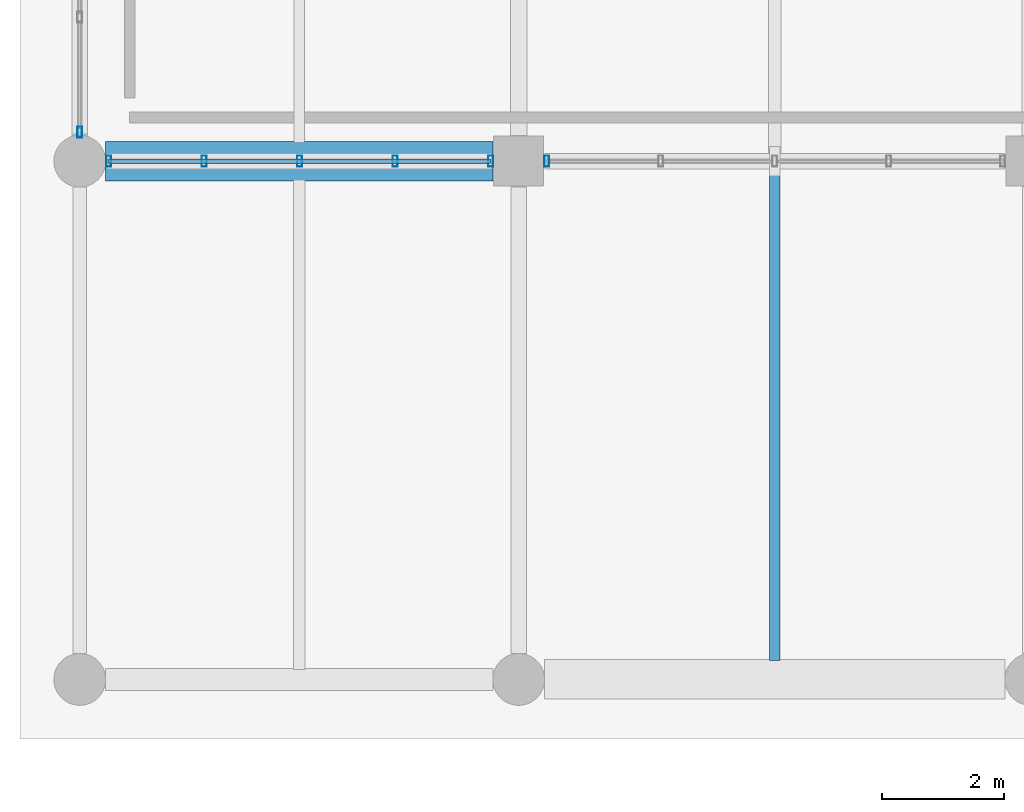
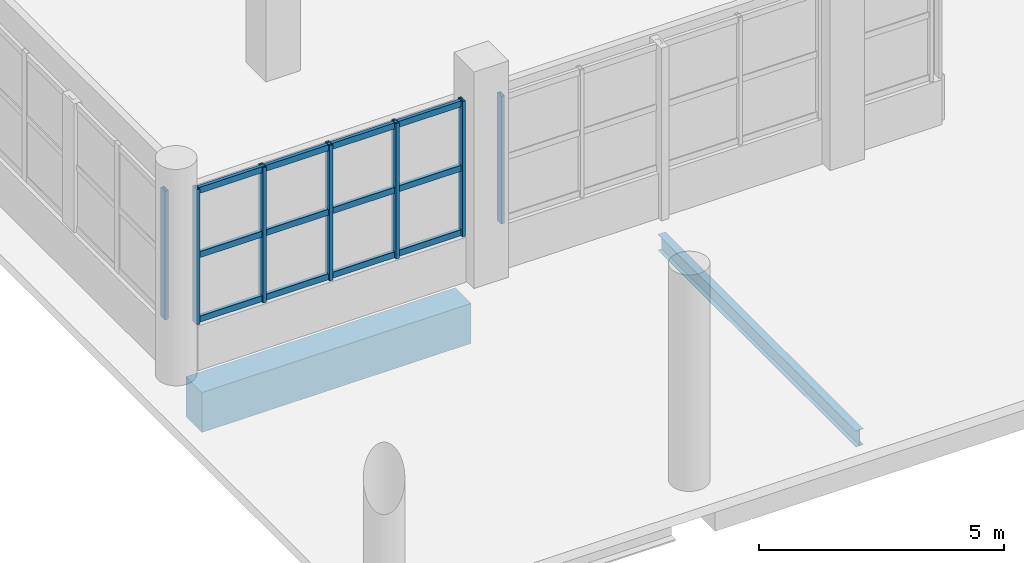
# One storey, part 19 of 107: 10 members, 2 beams, 3 elements without a shape of their own.
"""IFC4 building model written with IfcOpenShell, lengths in metres."""

from ifc_helpers import new_model, si_unit, direction, frame, origin, origin_2d, place, context, subcontext, project, spatial, rectangle, hollow_rectangle, i_section, extrude, material, material_profile, profile_set, type_object, element, aggregate, save


model = new_model("IFC4")

# Units and contexts
model_context = context("Model", 3, precision=1e-05, world=origin(), true_north=direction((0.0, 1.0)))
body_context = subcontext(model_context, "Body", "Model", "MODEL_VIEW")
ifc_project = project(units=[si_unit("LENGTHUNIT", "METRE"), si_unit("AREAUNIT", "SQUARE_METRE"), si_unit("VOLUMEUNIT", "CUBIC_METRE"), si_unit("PLANEANGLEUNIT", "RADIAN"), si_unit("MASSUNIT", "GRAM", prefix="KILO")], contexts=[model_context])

# Site, building, storey
site_placement = place(None, origin())
site = spatial("IfcSite", under=ifc_project, at=site_placement, CompositionType="ELEMENT")
building_placement = place(site_placement, origin())
building = spatial("IfcBuilding", under=site, at=building_placement, Name="Solvento Point Concert Hall", CompositionType="ELEMENT")
storey_placement = place(building_placement, origin())
storey = spatial("IfcBuildingStorey", under=building, at=storey_placement, Name="L00", CompositionType="ELEMENT", Elevation=0.0)

# Beams
ifc_material_1 = material(Name="Concrete C35/45", Category="concrete")
ifc_material_profile_1 = material_profile(ifc_material_1, rectangle(XDim=0.64990234375, YDim=1.0, at=origin_2d()), Name="RC-BM-650X1000")
ifc_profile_set_1 = profile_set([ifc_material_profile_1], Name="Concrete C35/45")
beam_type_1 = type_object("IfcBeamType", Name="Girder_RC_650x1000", PredefinedType="USERDEFINED", material=ifc_profile_set_1)
beam_1_placement = place(storey_placement, frame((0.424072265625, 110.5, -0.9140625), z_axis=(1.0, 0.0, 0.0), x_axis=(0.0, 1.0, 0.0)))
element("IfcBeam", 1, at=beam_1_placement, inside=storey, type_object=beam_type_1, Name="Primary girder B-67 L00", ObjectType="GIRDER", PredefinedType="USERDEFINED", context=body_context, shape_type="SweptSolid", body=[
    extrude(rectangle(XDim=0.64990234375, YDim=1.0, at=origin_2d()), origin(), (0.0, 0.0, 1.0), 6.351806640625),
])
ifc_material_2 = material(Name="Structural Steel ASTM A992 Grade 50", Category="steel")
ifc_material_profile_2 = material_profile(ifc_material_2, i_section(OverallWidth=0.177490234375, OverallDepth=0.403076171875, WebThickness=0.007568359375, FlangeThickness=0.010986328125, at=origin_2d()), Name="W16X36")
ifc_profile_set_2 = profile_set([ifc_material_profile_2], Name="Structural Steel ASTM A992 Grade 50")
beam_type_2 = type_object("IfcBeamType", Name="Joist_W16X36", PredefinedType="JOIST", material=ifc_profile_set_2)
beam_2_placement = place(storey_placement, frame((11.39990234375, 102.31005859375, -0.615478515625), z_axis=(0.0, 1.0, 0.0), x_axis=(-1.0, 0.0, 0.0)))
element("IfcBeam", 2, at=beam_2_placement, inside=storey, type_object=beam_type_2, Name="Secondary floor joist B-30 L00", PredefinedType="JOIST", context=body_context, shape_type="SweptSolid", body=[
    extrude(i_section(OverallWidth=0.177490234375, OverallDepth=0.403076171875, WebThickness=0.007568359375, FlangeThickness=0.010986328125, at=origin_2d()), origin(), (0.0, 0.0, 1.0), 8.0908203125),
])

# Curtain wall, members
ifc_material_3 = material(Name="Anodized Bronze Aluminium", Category="aluminium")
curtain_wall_type = type_object("IfcCurtainWallType", Name="CurtainWall_CourtPilotis", PredefinedType="USERDEFINED", material=ifc_material_3)
curtain_wall_1_placement = place(storey_placement, origin())
curtain_wall_1 = element("IfcCurtainWall", 3, at=curtain_wall_1_placement, inside=storey, type_object=curtain_wall_type, Name="Unitised curtain wall CW-96 UCW-L00-067", ObjectType="UNITISED CURTAIN WALL", PredefinedType="USERDEFINED")
ifc_material_4 = material(Name="Anodized Bronze Aluminium", Category="aluminium")
ifc_material_profile_3 = material_profile(ifc_material_4, hollow_rectangle(XDim=0.080078125, YDim=0.179931640625, WallThickness=0.00390625, at=origin_2d()), Name="CW-MUL-80X180")
ifc_profile_set_3 = profile_set([ifc_material_profile_3], Name="Anodized Bronze Aluminium")
member_type_1 = type_object("IfcMemberType", Name="Mullion_80x180", PredefinedType="MULLION", material=ifc_profile_set_3)
member_1_placement = place(storey_placement, frame((0.47509765625, 110.5, 1.1201171875), z_axis=(0.0, 0.0, 1.0), x_axis=(1.0, 0.0, 0.0)))
member_1 = element("IfcMember", 4, at=member_1_placement, type_object=member_type_1, Name="Curtain wall mullion ML-01", PredefinedType="MULLION", context=body_context, shape_type="SweptSolid", body=[
    extrude(hollow_rectangle(XDim=0.080078125, YDim=0.179931640625, WallThickness=0.00390625, at=origin_2d()), origin(), (0.0, 0.0, 1.0), 3.3759765625),
])
member_2_placement = place(storey_placement, frame((2.041259765625, 110.5, 1.1201171875), z_axis=(0.0, 0.0, 1.0), x_axis=(1.0, 0.0, 0.0)))
member_2 = element("IfcMember", 5, at=member_2_placement, type_object=member_type_1, Name="Curtain wall mullion ML-01", PredefinedType="MULLION", context=body_context, shape_type="SweptSolid", body=[
    extrude(hollow_rectangle(XDim=0.080078125, YDim=0.179931640625, WallThickness=0.00390625, at=origin_2d()), origin(), (0.0, 0.0, 1.0), 3.3759765625),
])
member_3_placement = place(storey_placement, frame((3.607421875, 110.5, 1.1201171875), z_axis=(0.0, 0.0, 1.0), x_axis=(1.0, 0.0, 0.0)))
member_3 = element("IfcMember", 6, at=member_3_placement, type_object=member_type_1, Name="Curtain wall mullion ML-01", PredefinedType="MULLION", context=body_context, shape_type="SweptSolid", body=[
    extrude(hollow_rectangle(XDim=0.080078125, YDim=0.179931640625, WallThickness=0.00390625, at=origin_2d()), origin(), (0.0, 0.0, 1.0), 3.3759765625),
])
member_4_placement = place(storey_placement, frame((5.173583984375, 110.5, 1.1201171875), z_axis=(0.0, 0.0, 1.0), x_axis=(1.0, 0.0, 0.0)))
member_4 = element("IfcMember", 7, at=member_4_placement, type_object=member_type_1, Name="Curtain wall mullion ML-01", PredefinedType="MULLION", context=body_context, shape_type="SweptSolid", body=[
    extrude(hollow_rectangle(XDim=0.080078125, YDim=0.179931640625, WallThickness=0.00390625, at=origin_2d()), origin(), (0.0, 0.0, 1.0), 3.3759765625),
])
member_5_placement = place(storey_placement, frame((6.739990234375, 110.5, 1.1201171875), z_axis=(0.0, 0.0, 1.0), x_axis=(1.0, 0.0, 0.0)))
member_5 = element("IfcMember", 8, at=member_5_placement, type_object=member_type_1, Name="Curtain wall mullion ML-01", PredefinedType="MULLION", context=body_context, shape_type="SweptSolid", body=[
    extrude(hollow_rectangle(XDim=0.080078125, YDim=0.179931640625, WallThickness=0.00390625, at=origin_2d()), origin(), (0.0, 0.0, 1.0), 3.3759765625),
])

# Curtain wall, member
curtain_wall_2_placement = place(storey_placement, origin())
curtain_wall_2 = element("IfcCurtainWall", 9, at=curtain_wall_2_placement, inside=storey, type_object=curtain_wall_type, Name="Unitised curtain wall CW-96 UCW-L00-068", ObjectType="UNITISED CURTAIN WALL", PredefinedType="USERDEFINED")
member_6_placement = place(storey_placement, frame((7.659912109375, 110.5, 1.1201171875), z_axis=(0.0, 0.0, 1.0), x_axis=(1.0, 0.0, 0.0)))
member_6 = element("IfcMember", 10, at=member_6_placement, type_object=member_type_1, Name="Curtain wall mullion ML-01", PredefinedType="MULLION", context=body_context, shape_type="SweptSolid", body=[
    extrude(hollow_rectangle(XDim=0.080078125, YDim=0.179931640625, WallThickness=0.00390625, at=origin_2d()), origin(), (0.0, 0.0, 1.0), 3.183837890625),
])
aggregate(curtain_wall_2, [member_6])

curtain_wall_3_placement = place(storey_placement, origin())
curtain_wall_3 = element("IfcCurtainWall", 11, at=curtain_wall_3_placement, inside=storey, type_object=curtain_wall_type, Name="Unitised curtain wall CW-96 UCW-L00-070", ObjectType="UNITISED CURTAIN WALL", PredefinedType="USERDEFINED")
member_7_placement = place(storey_placement, frame((0.0, 110.97509765625, 1.1201171875), z_axis=(0.0, 0.0, 1.0), x_axis=(1.0, 0.0, 0.0)))
member_7 = element("IfcMember", 12, at=member_7_placement, type_object=member_type_1, Name="Curtain wall mullion ML-01", PredefinedType="MULLION", context=body_context, shape_type="SweptSolid", body=[
    extrude(hollow_rectangle(XDim=0.080078125, YDim=0.179931640625, WallThickness=0.00390625, at=origin_2d()), origin(), (0.0, 0.0, 1.0), 3.2138671875),
])
aggregate(curtain_wall_3, [member_7])

# Member
ifc_material_5 = material(Name="Anodized Bronze Aluminium", Category="aluminium")
ifc_material_profile_4 = material_profile(ifc_material_5, hollow_rectangle(XDim=0.080078125, YDim=0.14990234375, WallThickness=0.00390625, at=origin_2d()), Name="CW-TRN-80X150")
ifc_profile_set_4 = profile_set([ifc_material_profile_4], Name="Anodized Bronze Aluminium")
member_type_2 = type_object("IfcMemberType", Name="Transom_80x150", PredefinedType="USERDEFINED", material=ifc_profile_set_4)
member_8_placement = place(storey_placement, frame((0.47509765625, 110.5, 1.199951171875), z_axis=(1.0, 0.0, 0.0), x_axis=(0.0, 1.0, 0.0)))
member_8 = element("IfcMember", 13, at=member_8_placement, type_object=member_type_2, Name="Curtain wall transom TR-01", ObjectType="TRANSOM", PredefinedType="USERDEFINED", context=body_context, shape_type="SweptSolid", body=[
    extrude(hollow_rectangle(XDim=0.080078125, YDim=0.14990234375, WallThickness=0.00390625, at=origin_2d()), origin(), (0.0, 0.0, 1.0), 6.264892578125),
])

member_9_placement = place(storey_placement, frame((0.47509765625, 110.5, 2.80810546875), z_axis=(1.0, 0.0, 0.0), x_axis=(0.0, 1.0, 0.0)))
member_9 = element("IfcMember", 14, at=member_9_placement, type_object=member_type_2, Name="Curtain wall transom TR-01", ObjectType="TRANSOM", PredefinedType="USERDEFINED", context=body_context, shape_type="SweptSolid", body=[
    extrude(hollow_rectangle(XDim=0.080078125, YDim=0.14990234375, WallThickness=0.00390625, at=origin_2d()), origin(), (0.0, 0.0, 1.0), 6.264892578125),
])

member_10_placement = place(storey_placement, frame((0.47509765625, 110.5, 4.416015625), z_axis=(1.0, 0.0, 0.0), x_axis=(0.0, 1.0, 0.0)))
member_10 = element("IfcMember", 15, at=member_10_placement, type_object=member_type_2, Name="Curtain wall transom TR-01", ObjectType="TRANSOM", PredefinedType="USERDEFINED", context=body_context, shape_type="SweptSolid", body=[
    extrude(hollow_rectangle(XDim=0.080078125, YDim=0.14990234375, WallThickness=0.00390625, at=origin_2d()), origin(), (0.0, 0.0, 1.0), 6.264892578125),
])

aggregate(curtain_wall_1, [member_1, member_2, member_3, member_4, member_5, member_8, member_9, member_10])

save(model, "model.ifc")
